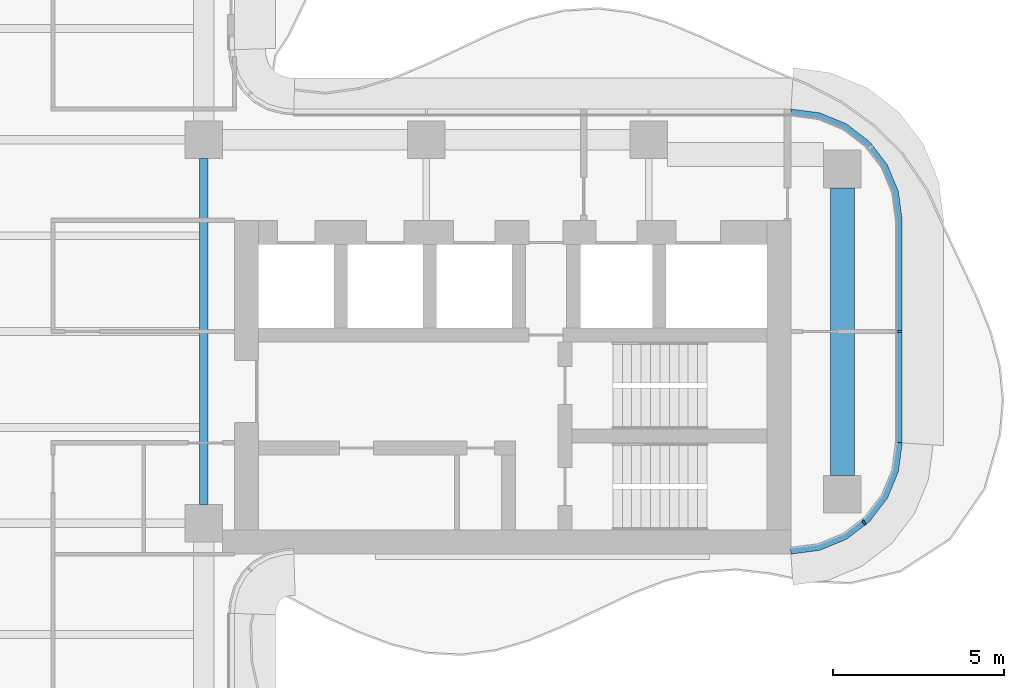
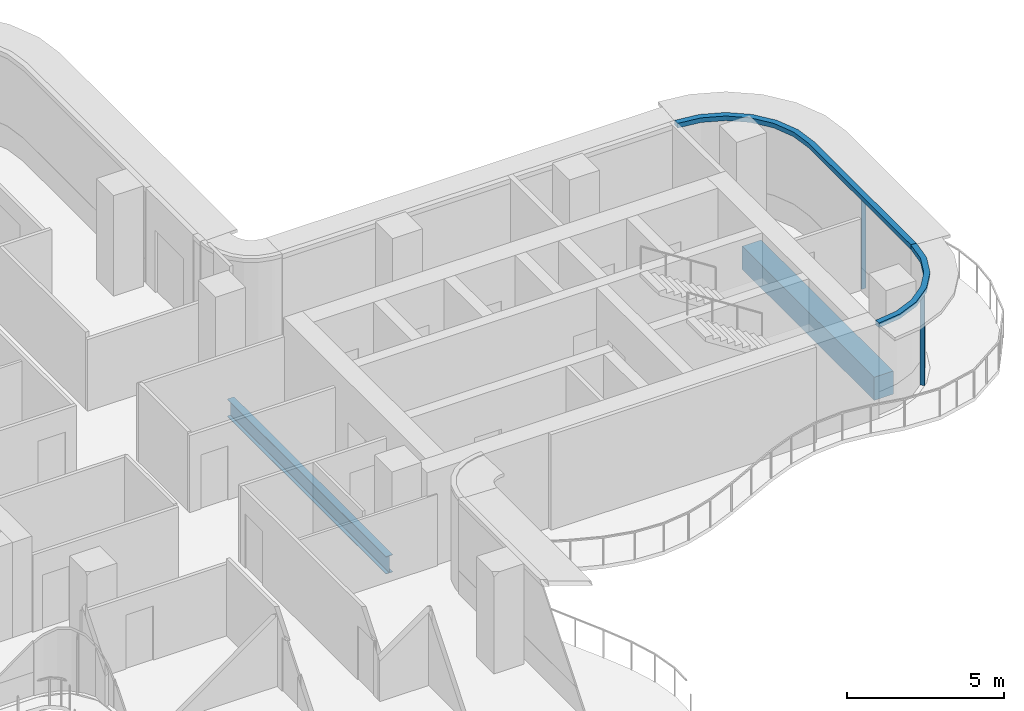
# One storey, part 6 of 18: 4 members, 2 beams, 2 elements without a shape of their own.
"""IFC4 building model written with IfcOpenShell, lengths in metres."""

from ifc_helpers import new_model, si_unit, direction, frame, origin, origin_2d, place, context, subcontext, project, spatial, polyline, rectangle, i_section, outline, extrude, source, transform, mapped, material, layer, layer_set, material_profile, profile_set, type_object, element, aggregate, save


model = new_model("IFC4")

# Units and contexts
model_context = context("Model", 3, precision=1e-05, world=origin(), true_north=direction((0.0, 1.0)))
body_context = subcontext(model_context, "Body", "Model", "MODEL_VIEW")
ifc_project = project(units=[si_unit("LENGTHUNIT", "METRE"), si_unit("AREAUNIT", "SQUARE_METRE"), si_unit("VOLUMEUNIT", "CUBIC_METRE"), si_unit("PLANEANGLEUNIT", "RADIAN"), si_unit("MASSUNIT", "GRAM", prefix="KILO")], contexts=[model_context])

# Site, building, storey
site_placement = place(None, origin())
site = spatial("IfcSite", under=ifc_project, at=site_placement, CompositionType="ELEMENT")
building_placement = place(site_placement, origin())
building = spatial("IfcBuilding", under=site, at=building_placement, Name="Trellis Farm Tower", CompositionType="ELEMENT")
storey_placement = place(building_placement, frame((0.0, 0.0, 224.60009765625)))
storey = spatial("IfcBuildingStorey", under=building, at=storey_placement, Name="L49", CompositionType="ELEMENT", Elevation=224.60009765625)

# Beams
ifc_material_1 = material(Name="Steel S355", Category="steel")
ifc_material_profile_1 = material_profile(ifc_material_1, i_section(OverallWidth=0.253662109375, OverallDepth=0.68359375, WebThickness=0.012451171875, FlangeThickness=0.021728515625, FilletRadius=0.01513671875, at=origin_2d()), Name="UB 686x254x140")
ifc_profile_set_1 = profile_set([ifc_material_profile_1], Name="Steel S355")
beam_type_1 = type_object("IfcBeamType", Name="UB 686x254x140", PredefinedType="BEAM", material=ifc_profile_set_1)
shared_shape_1 = source(origin(), body_context, "Body", "SweptSolid", [
    extrude(i_section(OverallWidth=0.253662109375, OverallDepth=0.68359375, WebThickness=0.012451171875, FlangeThickness=0.021728515625, FilletRadius=0.01513671875, at=origin_2d()), origin(), (0.0, 0.0, 1.0), 10.10009765625),
])
beam_1_placement = place(storey_placement, frame((5.60009765625, -5.050048828125, -0.541748046875), z_axis=(0.0, 1.0, 0.0), x_axis=(-1.0, 0.0, 0.0)))
element("IfcBeam", 1, at=beam_1_placement, inside=storey, type_object=beam_type_1, Name="Girder", PredefinedType="BEAM", context=body_context, shape_type="MappedRepresentation", body=[
    mapped(shared_shape_1, transform((0.0, 0.0, 0.0))),
])
ifc_material_2 = material(Name="Concrete C60/75", Category="concrete")
ifc_material_profile_2 = material_profile(ifc_material_2, rectangle(XDim=0.699951171875, YDim=0.89990234375, at=origin_2d()), Name="RC spandrel beam 700x900 C60/75")
ifc_profile_set_2 = profile_set([ifc_material_profile_2], Name="Concrete C60/75")
beam_type_2 = type_object("IfcBeamType", Name="RC spandrel beam 700x900 C60/75", PredefinedType="SPANDREL", material=ifc_profile_set_2)
shared_shape_2 = source(origin(), body_context, "Body", "SweptSolid", [
    extrude(rectangle(XDim=0.699951171875, YDim=0.89990234375, at=origin_2d()), origin(), (0.0, 0.0, 1.0), 8.39990234375),
])
beam_2_placement = place(storey_placement, frame((24.25, -4.199951171875, -0.650146484375), z_axis=(0.0, 1.0, 0.0), x_axis=(-1.0, 0.0, 0.0)))
element("IfcBeam", 2, at=beam_2_placement, inside=storey, type_object=beam_type_2, Name="Girder", PredefinedType="SPANDREL", context=body_context, shape_type="MappedRepresentation", body=[
    mapped(shared_shape_2, transform((0.0, 0.0, 0.0))),
])

# Curtain wall, member
ifc_material_3 = material(Name="Aluminium and glass curtain wall", Category="aluminium")
ifc_layer_1 = layer(ifc_material_3, 0.18994140625)
ifc_layer_set_1 = layer_set([ifc_layer_1], Name="RIBBON CURTAIN WALL CW1")
curtain_wall_type = type_object("IfcCurtainWallType", Name="RIBBON CURTAIN WALL CW1", PredefinedType="NOTDEFINED", material=ifc_layer_set_1)
placement_1 = place(storey_placement, origin())
curtain_wall_1 = element("IfcCurtainWall", 3, at=placement_1, inside=storey, type_object=curtain_wall_type, Name="CW1 005", PredefinedType="NOTDEFINED")
ifc_material_4 = material(Name="Aluminium extrusion 6063-T6", Category="aluminium")
ifc_material_profile_3 = material_profile(ifc_material_4, rectangle(XDim=0.06005859375, YDim=0.14990234375, at=origin_2d()), Name="MULLION 60x150")
ifc_profile_set_3 = profile_set([ifc_material_profile_3], Name="Aluminium extrusion 6063-T6")
member_type_1 = type_object("IfcMemberType", Name="CW1 MULLION 60x150", PredefinedType="MULLION", material=ifc_profile_set_3)
shared_shape_3 = source(origin(), body_context, "Body", "SweptSolid", [
    extrude(rectangle(XDim=0.06005859375, YDim=0.14990234375, at=origin_2d()), origin(), (0.0, 0.0, 1.0), 3.52001953125),
])
member_1_placement = place(storey_placement, frame((24.885498046875, -5.578369140625, 0.0), z_axis=(0.0, 0.0, 1.0), x_axis=(0.793353340291, 0.608761429009, 0.0)))
member_1 = element("IfcMember", 4, at=member_1_placement, type_object=member_type_1, Name="MU1 005-01", PredefinedType="MULLION", context=body_context, shape_type="MappedRepresentation", body=[
    mapped(shared_shape_3, transform((0.0, 0.0, 0.0))),
])

curtain_wall_2 = element("IfcCurtainWall", 5, at=placement_1, inside=storey, type_object=curtain_wall_type, Name="CW1 006", PredefinedType="NOTDEFINED")
member_2_placement = place(storey_placement, frame((25.925048828125, 0.0, 0.0), z_axis=(0.0, 0.0, 1.0), x_axis=(0.0, 1.0, 0.0)))
member_2 = element("IfcMember", 6, at=member_2_placement, type_object=member_type_1, Name="MU1 006-01", PredefinedType="MULLION", context=body_context, shape_type="MappedRepresentation", body=[
    mapped(shared_shape_3, transform((0.0, 0.0, 0.0))),
])

# Member
ifc_layer_2 = layer(ifc_material_4, 0.199951171875)
ifc_layer_set_2 = layer_set([ifc_layer_2], Name="Aluminium extrusion 6063-T6")
member_type_2 = type_object("IfcMemberType", Name="CW1 TRANSOM 200x180", PredefinedType="USERDEFINED", material=ifc_layer_set_2)
shared_shape_4 = source(origin(), body_context, "Body", "SweptSolid", [
    extrude(outline(polyline([(22.75, -6.5), (23.591064453125, -6.38916015625), (24.375, -6.064697265625), (25.048095703125, -5.548095703125), (25.564697265625, -4.875), (25.88916015625, -4.091064453125), (26.0, -3.25), (25.800048828125, -3.23681640625), (25.6943359375, -4.0390625), (25.389892578125, -4.774169921875), (24.905517578125, -5.405517578125), (24.274169921875, -5.889892578125), (23.5390625, -6.1943359375), (22.73681640625, -6.300048828125), (22.75, -6.5)])), origin(), (0.0, 0.0, 1.0), 0.179931640625),
])
placement_2 = place(storey_placement, frame((0.0, 0.0, 3.52001953125)))
member_3 = element("IfcMember", 7, at=placement_2, type_object=member_type_2, Name="TR1 005", ObjectType="TRANSOM", PredefinedType="USERDEFINED", context=body_context, shape_type="MappedRepresentation", body=[
    mapped(shared_shape_4, transform((0.0, 0.0, 0.0))),
])

aggregate(curtain_wall_1, [member_1, member_3])

shared_shape_5 = source(origin(), body_context, "Body", "SweptSolid", [
    extrude(outline(polyline([(26.0, -3.25), (26.0, 3.25), (25.88916015625, 4.091064453125), (25.564697265625, 4.875), (25.048095703125, 5.548095703125), (24.375, 6.064697265625), (23.591064453125, 6.38916015625), (22.75, 6.5), (22.73681640625, 6.300048828125), (23.5390625, 6.1943359375), (24.274169921875, 5.889892578125), (24.905517578125, 5.405517578125), (25.389892578125, 4.774169921875), (25.6943359375, 4.0390625), (25.800048828125, 3.23681640625), (25.800048828125, -3.23681640625), (26.0, -3.25)])), origin(), (0.0, 0.0, 1.0), 0.179931640625),
])
member_4 = element("IfcMember", 8, at=placement_2, type_object=member_type_2, Name="TR1 006", ObjectType="TRANSOM", PredefinedType="USERDEFINED", context=body_context, shape_type="MappedRepresentation", body=[
    mapped(shared_shape_5, transform((0.0, 0.0, 0.0))),
])

aggregate(curtain_wall_2, [member_2, member_4])

save(model, "model.ifc")
